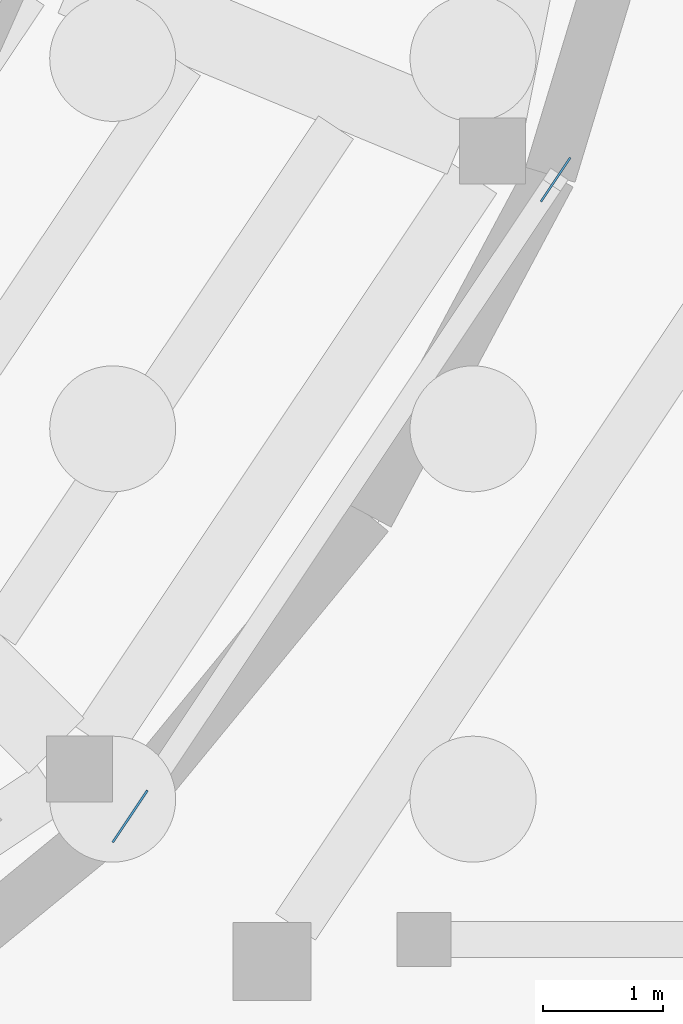
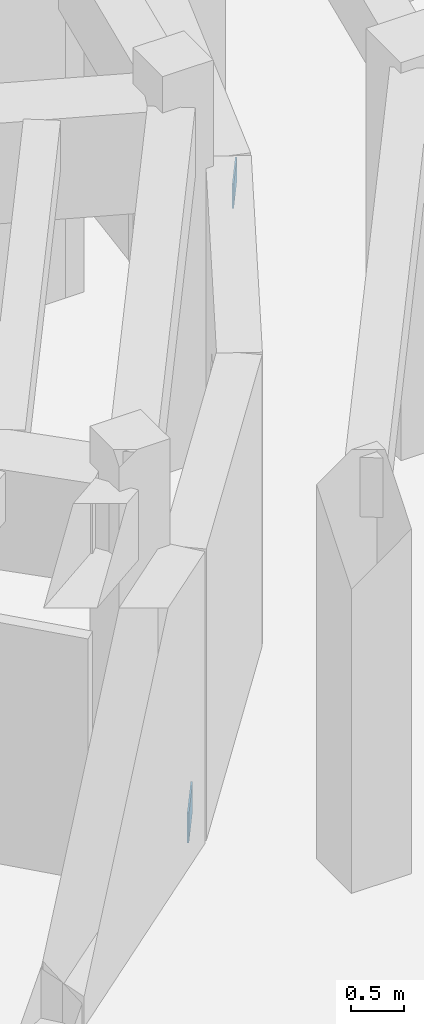
# One storey, part 27 of 57: 2 plates.
"""IFC4 building model written with IfcOpenShell, lengths in metres."""

from ifc_helpers import new_model, si_unit, direction, frame, origin, origin_2d, place, context, subcontext, project, spatial, rectangle, extrude, material, layer, layer_set, type_object, element, save


model = new_model("IFC4")

# Units and contexts
model_context = context("Model", 3, precision=1e-05, world=origin(), true_north=direction((0.0, 1.0)))
body_context = subcontext(model_context, "Body", "Model", "MODEL_VIEW")
ifc_project = project(units=[si_unit("LENGTHUNIT", "METRE"), si_unit("AREAUNIT", "SQUARE_METRE"), si_unit("VOLUMEUNIT", "CUBIC_METRE"), si_unit("PLANEANGLEUNIT", "RADIAN"), si_unit("MASSUNIT", "GRAM", prefix="KILO")], contexts=[model_context])

# Site, building, storey
site_placement = place(None, origin())
site = spatial("IfcSite", under=ifc_project, at=site_placement, CompositionType="ELEMENT")
building_placement = place(site_placement, origin())
building = spatial("IfcBuilding", under=site, at=building_placement, Name="Aldenvaro Health Centre", CompositionType="ELEMENT")
storey_placement = place(building_placement, frame((0.0, 0.0, -4.550048828125)))
storey = spatial("IfcBuildingStorey", under=building, at=storey_placement, Name="B1", CompositionType="ELEMENT", Elevation=-4.550048828125)

# Plates
ifc_material = material(Name="Steel ASTM A572 Grade 50", Category="steel")
ifc_layer_1 = layer(ifc_material, 0.01806640625, Name="Steel ASTM A572 Grade 50", Category="steel")
ifc_layer_set_1 = layer_set([ifc_layer_1], Name="Steel ASTM A572 Grade 50")
plate_type_1 = type_object("IfcPlateType", Name="PLT-GUS-02", PredefinedType="SHEET", material=ifc_layer_set_1)
plate_1_placement = place(storey_placement, frame((98.64990234375, 8.3779296875, 0.1298828125), z_axis=(0.0, 0.0, 1.0), x_axis=(0.555642790316, 0.831421126488, 0.0)))
element("IfcPlate", 1, at=plate_1_placement, inside=storey, type_object=plate_type_1, Name="D1 B1 brace end gusset 15.B", PredefinedType="SHEET", context=body_context, shape_type="SweptSolid", body=[
    extrude(rectangle(XDim=0.52001953125, YDim=0.01806640625, at=origin_2d()), origin(), (0.0, 0.0, 1.0), 0.340087890625),
])
ifc_layer_2 = layer(ifc_material, 0.01611328125, Name="Steel ASTM A572 Grade 50", Category="steel")
ifc_layer_set_2 = layer_set([ifc_layer_2], Name="Steel ASTM A572 Grade 50")
plate_type_2 = type_object("IfcPlateType", Name="PLT-GUS-03", PredefinedType="SHEET", material=ifc_layer_set_2)
plate_2_placement = place(storey_placement, frame((102.196044921875, 13.68408203125, 2.89501953125), z_axis=(0.0, 0.0, 1.0), x_axis=(0.555642790316, 0.831421126488, 0.0)))
element("IfcPlate", 2, at=plate_2_placement, inside=storey, type_object=plate_type_2, Name="D1 B1 brace end gusset 15.T", PredefinedType="SHEET", context=body_context, shape_type="SweptSolid", body=[
    extrude(rectangle(XDim=0.43994140625, YDim=0.01611328125, at=origin_2d()), origin(), (0.0, 0.0, 1.0), 0.280029296875),
])

save(model, "model.ifc")
